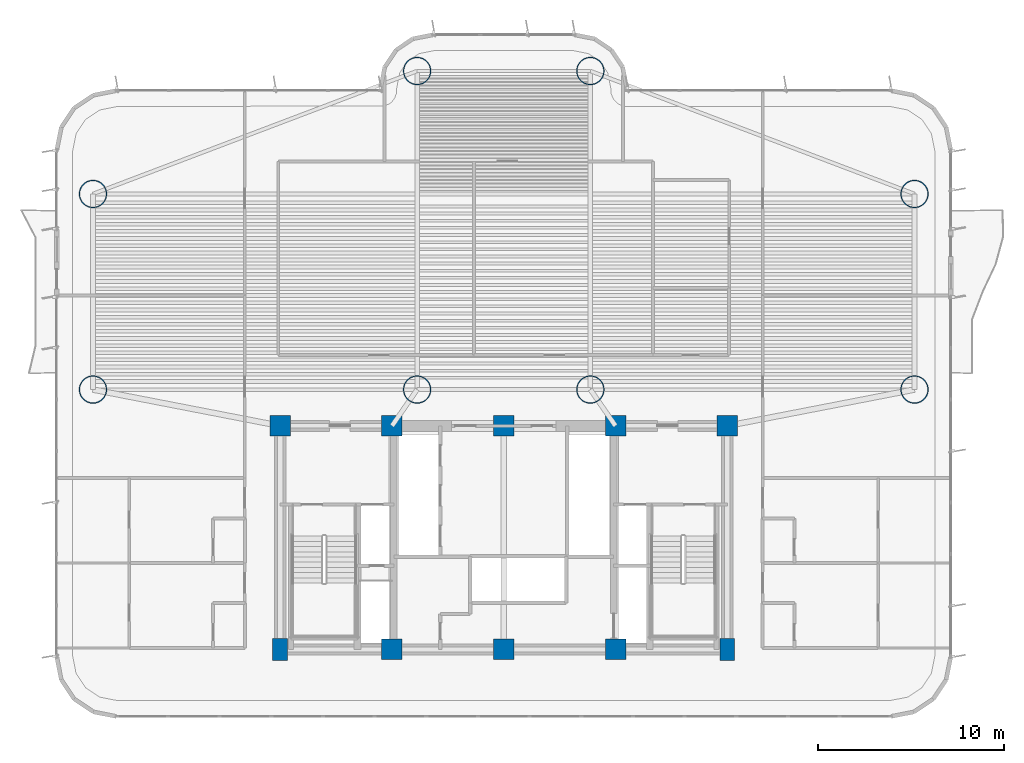
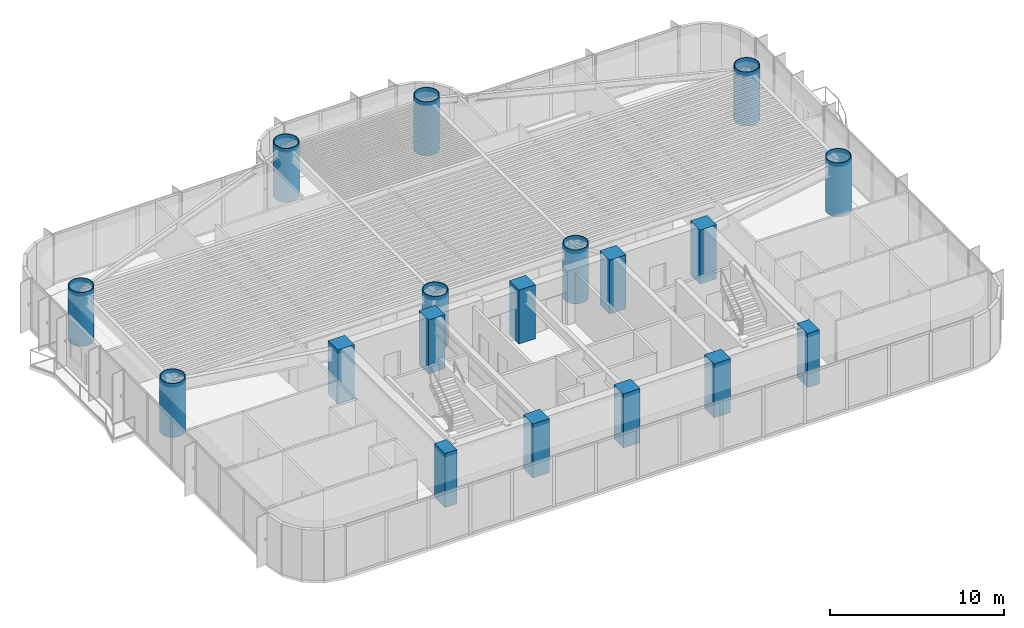
# One storey, part 1 of 17: 18 columns.
"""IFC4 building model written with IfcOpenShell, lengths in metres."""

from ifc_helpers import new_model, si_unit, direction, frame, origin, origin_2d, place, context, subcontext, project, spatial, rectangle, hollow_circle, extrude, source, transform, mapped, material, material_profile, profile_set, type_object, element, save


model = new_model("IFC4")

# Units and contexts
model_context = context("Model", 3, precision=1e-05, world=origin(), true_north=direction((0.0, 1.0)))
body_context = subcontext(model_context, "Body", "Model", "MODEL_VIEW")
ifc_project = project(units=[si_unit("LENGTHUNIT", "METRE"), si_unit("AREAUNIT", "SQUARE_METRE"), si_unit("VOLUMEUNIT", "CUBIC_METRE"), si_unit("PLANEANGLEUNIT", "RADIAN"), si_unit("MASSUNIT", "GRAM", prefix="KILO")], contexts=[model_context])

# Site, building, storey
site_placement = place(None, origin())
site = spatial("IfcSite", under=ifc_project, at=site_placement, CompositionType="ELEMENT")
building_placement = place(site_placement, origin())
building = spatial("IfcBuilding", under=site, at=building_placement, Name="Brelvock Crest Care Tower", CompositionType="ELEMENT")
storey_placement = place(building_placement, frame((0.0, 0.0, 49.679931640625)))
storey = spatial("IfcBuildingStorey", under=building, at=storey_placement, Name="L12", CompositionType="ELEMENT", Elevation=49.679931640625)

# Columns
ifc_material_1 = material(Name="Concrete S80 (80 MPa)", Category="concrete")
ifc_material_profile_1 = material_profile(ifc_material_1, rectangle(XDim=0.800048828125, YDim=1.199951171875, at=origin_2d()), Name="RC800x1200")
ifc_profile_set_1 = profile_set([ifc_material_profile_1], Name="Concrete S80 (80 MPa)")
column_type_1 = type_object("IfcColumnType", Name="COL-RC5", PredefinedType="COLUMN", material=ifc_profile_set_1)
shared_shape_1 = source(origin(), body_context, "Body", "SweptSolid", [
    extrude(rectangle(XDim=0.800048828125, YDim=1.199951171875, at=origin_2d()), origin(), (0.0, 0.0, 1.0), 3.780029296875),
])
for number, where, z_axis, x_axis, name in (
    (1, (24.0, 6.0, 0.0), (0.0, 0.0, 1.0), (1.0, 0.0, 0.0), "L12 Core Column CC-01"),
    (2, (48.0, 6.0, 0.0), (0.0, 0.0, 1.0), (1.0, 0.0, 0.0), "L12 Core Column CC-05"),
):
    element("IfcColumn", number, at=place(storey_placement, frame(where, z_axis=z_axis, x_axis=x_axis)), inside=storey, type_object=column_type_1, Name=name, PredefinedType="COLUMN", context=body_context, shape_type="MappedRepresentation", body=[
        mapped(shared_shape_1, transform((0.0, 0.0, 0.0), x_axis=(1.0, 0.0, 0.0), y_axis=(0.0, 1.0, 0.0), z_axis=(0.0, 0.0, 1.0), scale=1.0)),
    ])
ifc_material_profile_2 = material_profile(ifc_material_1, rectangle(XDim=1.10009765625, YDim=1.10009765625, at=origin_2d()), Name="RC1100x1100")
ifc_profile_set_2 = profile_set([ifc_material_profile_2], Name="Concrete S80 (80 MPa)")
column_type_2 = type_object("IfcColumnType", Name="COL-RC1", PredefinedType="COLUMN", material=ifc_profile_set_2)
shared_shape_2 = source(origin(), body_context, "Body", "SweptSolid", [
    extrude(rectangle(XDim=1.10009765625, YDim=1.10009765625, at=origin_2d()), origin(), (0.0, 0.0, 1.0), 3.780029296875),
])
for number, where, z_axis, x_axis, name in (
    (3, (30.0, 6.0, 0.0), (0.0, 0.0, 1.0), (1.0, 0.0, 0.0), "L12 Core Column CC-02"),
    (4, (36.0, 6.0, 0.0), (0.0, 0.0, 1.0), (1.0, 0.0, 0.0), "L12 Core Column CC-03"),
    (5, (42.0, 6.0, 0.0), (0.0, 0.0, 1.0), (1.0, 0.0, 0.0), "L12 Core Column CC-04"),
    (6, (24.0, 18.0, 0.0), (0.0, 0.0, 1.0), (1.0, 0.0, 0.0), "L12 Core Column CC-06"),
    (7, (30.0, 18.0, 0.0), (0.0, 0.0, 1.0), (1.0, 0.0, 0.0), "L12 Core Column CC-07"),
    (8, (36.0, 18.0, 0.0), (0.0, 0.0, 1.0), (1.0, 0.0, 0.0), "L12 Core Column CC-08"),
    (9, (42.0, 18.0, 0.0), (0.0, 0.0, 1.0), (1.0, 0.0, 0.0), "L12 Core Column CC-09"),
    (10, (48.0, 18.0, 0.0), (0.0, 0.0, 1.0), (1.0, 0.0, 0.0), "L12 Core Column CC-10"),
):
    element("IfcColumn", number, at=place(storey_placement, frame(where, z_axis=z_axis, x_axis=x_axis)), inside=storey, type_object=column_type_2, Name=name, PredefinedType="COLUMN", context=body_context, shape_type="MappedRepresentation", body=[
        mapped(shared_shape_2, transform((0.0, 0.0, 0.0), x_axis=(1.0, 0.0, 0.0), y_axis=(0.0, 1.0, 0.0), z_axis=(0.0, 0.0, 1.0), scale=1.0)),
    ])
ifc_material_2 = material(Name="Steel Grade 350", Category="steel")
ifc_material_profile_3 = material_profile(ifc_material_2, hollow_circle(Radius=0.75, WallThickness=0.050048828125, at=origin_2d()), Name="CFT1500x50")
ifc_profile_set_3 = profile_set([ifc_material_profile_3], Name="Steel Grade 350")
column_type_3 = type_object("IfcColumnType", Name="COL-MC1", PredefinedType="COLUMN", material=ifc_profile_set_3)
shared_shape_3 = source(origin(), body_context, "Body", "SweptSolid", [
    extrude(hollow_circle(Radius=0.75, WallThickness=0.050048828125, at=origin_2d()), origin(), (0.0, 0.0, 1.0), 3.780029296875),
])
for number, where, z_axis, x_axis, name in (
    (11, (13.949951171875, 19.949951171875, 0.0), (0.0, 0.0, 1.0), (1.0, 0.0, 0.0), "L12 Tower Column M1"),
    (12, (13.949951171875, 30.449951171875, 0.0), (0.0, 0.0, 1.0), (1.0, 0.0, 0.0), "L12 Tower Column M2"),
    (13, (58.050048828125, 19.949951171875, 0.0), (0.0, 0.0, 1.0), (1.0, 0.0, 0.0), "L12 Tower Column M3"),
    (14, (58.050048828125, 30.449951171875, 0.0), (0.0, 0.0, 1.0), (1.0, 0.0, 0.0), "L12 Tower Column M4"),
    (15, (31.35009765625, 19.949951171875, 0.0), (0.0, 0.0, 1.0), (1.0, 0.0, 0.0), "L12 Tower Column M5"),
    (16, (40.64990234375, 19.949951171875, 0.0), (0.0, 0.0, 1.0), (1.0, 0.0, 0.0), "L12 Tower Column M6"),
    (17, (31.35009765625, 37.050048828125, 0.0), (0.0, 0.0, 1.0), (1.0, 0.0, 0.0), "L12 Tower Column M7"),
    (18, (40.64990234375, 37.050048828125, 0.0), (0.0, 0.0, 1.0), (1.0, 0.0, 0.0), "L12 Tower Column M8"),
):
    element("IfcColumn", number, at=place(storey_placement, frame(where, z_axis=z_axis, x_axis=x_axis)), inside=storey, type_object=column_type_3, Name=name, PredefinedType="COLUMN", context=body_context, shape_type="MappedRepresentation", body=[
        mapped(shared_shape_3, transform((0.0, 0.0, 0.0), x_axis=(1.0, 0.0, 0.0), y_axis=(0.0, 1.0, 0.0), z_axis=(0.0, 0.0, 1.0), scale=1.0)),
    ])

save(model, "model.ifc")
